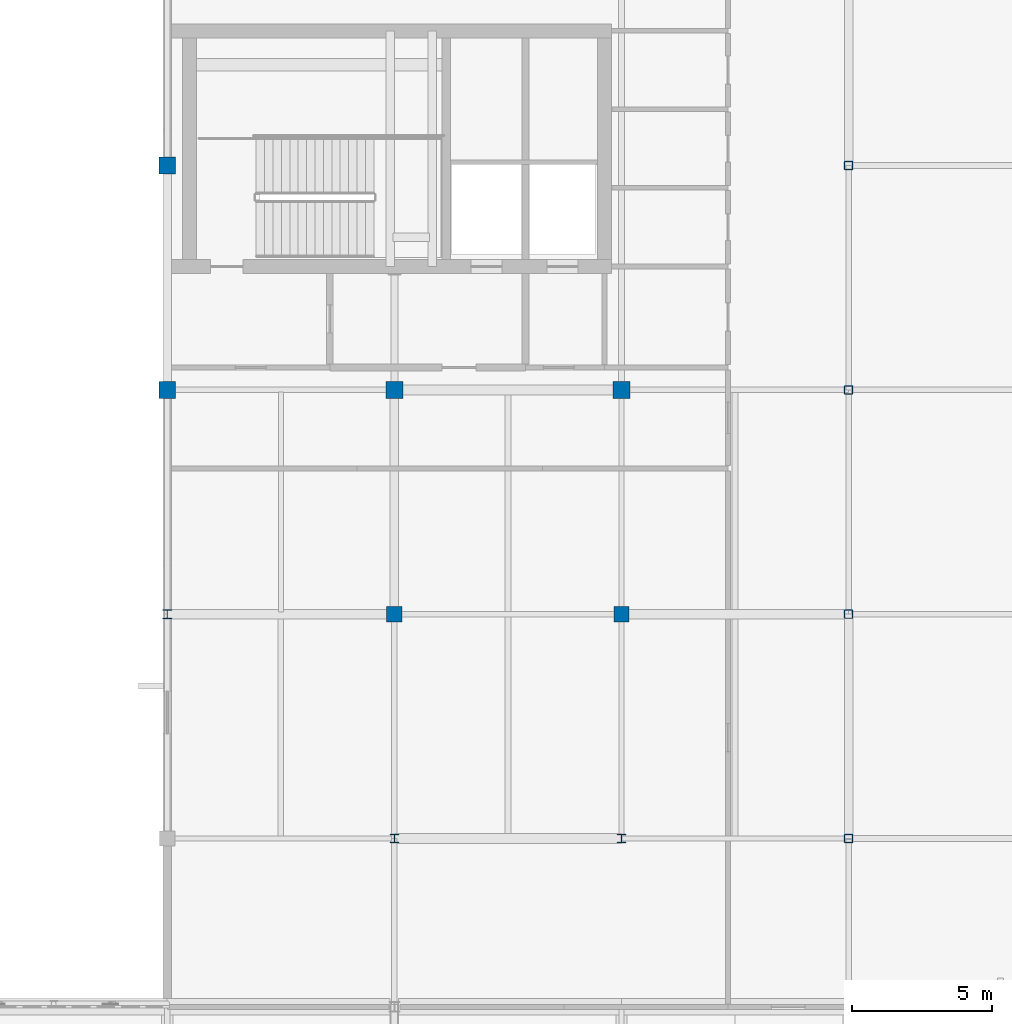
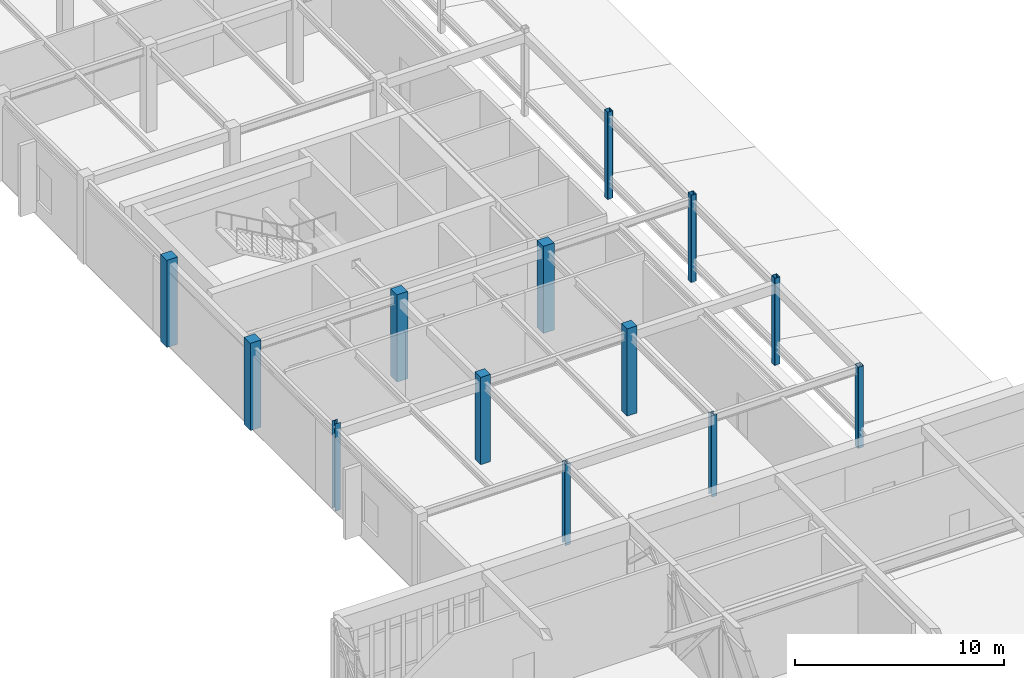
# One storey, part 3 of 70: 13 columns.
"""IFC4 building model written with IfcOpenShell, lengths in metres."""

from ifc_helpers import new_model, si_unit, direction, frame, origin, origin_2d, place, context, subcontext, project, spatial, rectangle, hollow_rectangle, i_section, extrude, material, material_profile, profile_set, type_object, element, save


model = new_model("IFC4")

# Units and contexts
model_context = context("Model", 3, precision=1e-05, world=origin(), true_north=direction((0.0, 1.0)))
body_context = subcontext(model_context, "Body", "Model", "MODEL_VIEW")
ifc_project = project(units=[si_unit("LENGTHUNIT", "METRE"), si_unit("AREAUNIT", "SQUARE_METRE"), si_unit("VOLUMEUNIT", "CUBIC_METRE"), si_unit("PLANEANGLEUNIT", "RADIAN"), si_unit("MASSUNIT", "GRAM", prefix="KILO")], contexts=[model_context])

# Site, building, storey
site_placement = place(None, origin())
site = spatial("IfcSite", under=ifc_project, at=site_placement, CompositionType="ELEMENT")
building_placement = place(site_placement, origin())
building = spatial("IfcBuilding", under=site, at=building_placement, Name="Tarnveldt Square Police Headquarters", CompositionType="ELEMENT")
storey_placement = place(building_placement, frame((0.0, 0.0, 19.800048828125)))
storey = spatial("IfcBuildingStorey", under=building, at=storey_placement, Name="L04", CompositionType="ELEMENT", Elevation=19.800048828125)

# Columns
ifc_material_1 = material(Name="Steel 350W", Category="steel")
ifc_material_profile_1 = material_profile(ifc_material_1, hollow_rectangle(XDim=0.3046875, YDim=0.3046875, WallThickness=0.015869140625, InnerFilletRadius=0.015869140625, OuterFilletRadius=0.03173828125, at=origin_2d()), Name="HSS305x305x16")
ifc_profile_set_1 = profile_set([ifc_material_profile_1], Name="Steel 350W")
column_type_1 = type_object("IfcColumnType", Name="COL-HSS305x16", PredefinedType="COLUMN", material=ifc_profile_set_1)
column_1_placement = place(storey_placement, frame((40.5, 40.0, 0.0), z_axis=(0.0, 0.0, 1.0), x_axis=(1.0, 0.0, 0.0)))
element("IfcColumn", 1, at=column_1_placement, inside=storey, type_object=column_type_1, Name="L04 Column 060", PredefinedType="COLUMN", context=body_context, shape_type="SweptSolid", body=[
    extrude(hollow_rectangle(XDim=0.3046875, YDim=0.3046875, WallThickness=0.015869140625, InnerFilletRadius=0.015869140625, OuterFilletRadius=0.03173828125, at=origin_2d()), origin(), (0.0, 0.0, 1.0), 4.760009765625),
])
for number, where, z_axis, x_axis, name in (
    (2, (40.5, 48.0, 0.0), (0.0, 0.0, 1.0), (1.0, 0.0, 0.0), "L04 Column 061"),
    (3, (40.5, 56.0, 0.0), (0.0, 0.0, 1.0), (1.0, 0.0, 0.0), "L04 Column 062"),
    (4, (40.5, 64.0, 0.0), (0.0, 0.0, 1.0), (1.0, 0.0, 0.0), "L04 Column 063"),
):
    element("IfcColumn", number, at=place(storey_placement, frame(where, z_axis=z_axis, x_axis=x_axis)), inside=storey, type_object=column_type_1, Name=name, PredefinedType="COLUMN", context=body_context, shape_type="SweptSolid", body=[
        extrude(hollow_rectangle(XDim=0.3046875, YDim=0.3046875, WallThickness=0.015869140625, InnerFilletRadius=0.015869140625, OuterFilletRadius=0.03173828125, at=origin_2d()), origin(), (0.0, 0.0, 1.0), 5.099853515625),
    ])
ifc_material_2 = material(Name="Concrete 40 MPa", Category="concrete")
ifc_material_profile_2 = material_profile(ifc_material_2, rectangle(XDim=0.550048828125, YDim=0.550048828125, at=origin_2d()), Name="RC-C550x550")
ifc_profile_set_2 = profile_set([ifc_material_profile_2], Name="Concrete 40 MPa")
column_type_2 = type_object("IfcColumnType", Name="COL-RC550", PredefinedType="COLUMN", material=ifc_profile_set_2)
for number, where, z_axis, x_axis, name in (
    (5, (24.300048828125, 48.0, 0.0), (0.0, 0.0, 1.0), (1.0, 0.0, 0.0), "L04 Column 032"),
    (6, (32.39990234375, 48.0, 0.0), (0.0, 0.0, 1.0), (1.0, 0.0, 0.0), "L04 Column 048"),
):
    element("IfcColumn", number, at=place(storey_placement, frame(where, z_axis=z_axis, x_axis=x_axis)), inside=storey, type_object=column_type_2, Name=name, PredefinedType="COLUMN", context=body_context, shape_type="SweptSolid", body=[
        extrude(rectangle(XDim=0.550048828125, YDim=0.550048828125, at=origin_2d()), origin(), (0.0, 0.0, 1.0), 5.099853515625),
    ])
ifc_material_profile_3 = material_profile(ifc_material_2, rectangle(XDim=0.60009765625, YDim=0.60009765625, at=origin_2d()), Name="RC-C600x600")
ifc_profile_set_3 = profile_set([ifc_material_profile_3], Name="Concrete 40 MPa")
column_type_3 = type_object("IfcColumnType", Name="COL-RC600", PredefinedType="COLUMN", material=ifc_profile_set_3)
for number, where, z_axis, x_axis, name in (
    (7, (16.199951171875, 56.0, 0.0), (0.0, 0.0, 1.0), (1.0, 0.0, 0.0), "L04 Column 020"),
    (8, (16.199951171875, 64.0, 0.0), (0.0, 0.0, 1.0), (1.0, 0.0, 0.0), "L04 Column 021"),
    (9, (24.300048828125, 56.0, 0.0), (0.0, 0.0, 1.0), (1.0, 0.0, 0.0), "L04 Column 033"),
    (10, (32.39990234375, 56.0, 0.0), (0.0, 0.0, 1.0), (1.0, 0.0, 0.0), "L04 Column 049"),
):
    element("IfcColumn", number, at=place(storey_placement, frame(where, z_axis=z_axis, x_axis=x_axis)), inside=storey, type_object=column_type_3, Name=name, PredefinedType="COLUMN", context=body_context, shape_type="SweptSolid", body=[
        extrude(rectangle(XDim=0.60009765625, YDim=0.60009765625, at=origin_2d()), origin(), (0.0, 0.0, 1.0), 5.099853515625),
    ])
ifc_material_profile_4 = material_profile(ifc_material_1, i_section(OverallWidth=0.304931640625, OverallDepth=0.30810546875, WebThickness=0.010009765625, FlangeThickness=0.015380859375, FilletRadius=0.014892578125, at=origin_2d()), Name="W310x97")
ifc_profile_set_4 = profile_set([ifc_material_profile_4], Name="Steel 350W")
column_type_4 = type_object("IfcColumnType", Name="COL-W310x97", PredefinedType="COLUMN", material=ifc_profile_set_4)
column_2_placement = place(storey_placement, frame((16.199951171875, 48.0, 0.0), z_axis=(0.0, 0.0, 1.0), x_axis=(1.0, 0.0, 0.0)))
element("IfcColumn", 11, at=column_2_placement, inside=storey, type_object=column_type_4, Name="L04 Column 019", PredefinedType="COLUMN", context=body_context, shape_type="SweptSolid", body=[
    extrude(i_section(OverallWidth=0.304931640625, OverallDepth=0.30810546875, WebThickness=0.010009765625, FlangeThickness=0.015380859375, FilletRadius=0.014892578125, at=origin_2d()), origin(), (0.0, 0.0, 1.0), 5.099853515625),
])
for number, where, z_axis, x_axis, name in (
    (12, (24.300048828125, 40.0, 0.0), (0.0, 0.0, 1.0), (1.0, 0.0, 0.0), "L04 Column 031"),
    (13, (32.39990234375, 40.0, 0.0), (0.0, 0.0, 1.0), (1.0, 0.0, 0.0), "L04 Column 047"),
):
    element("IfcColumn", number, at=place(storey_placement, frame(where, z_axis=z_axis, x_axis=x_axis)), inside=storey, type_object=column_type_4, Name=name, PredefinedType="COLUMN", context=body_context, shape_type="SweptSolid", body=[
        extrude(i_section(OverallWidth=0.304931640625, OverallDepth=0.30810546875, WebThickness=0.010009765625, FlangeThickness=0.015380859375, FilletRadius=0.014892578125, at=origin_2d()), origin(), (0.0, 0.0, 1.0), 4.760009765625),
    ])

save(model, "model.ifc")
